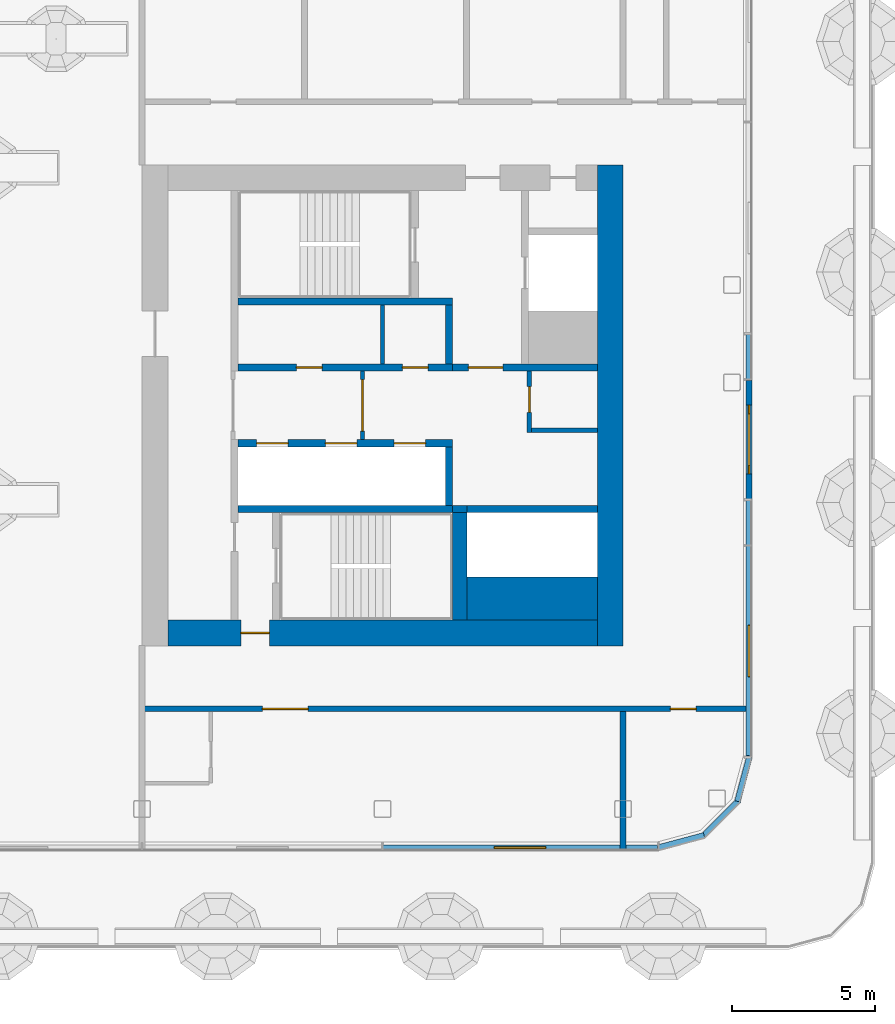
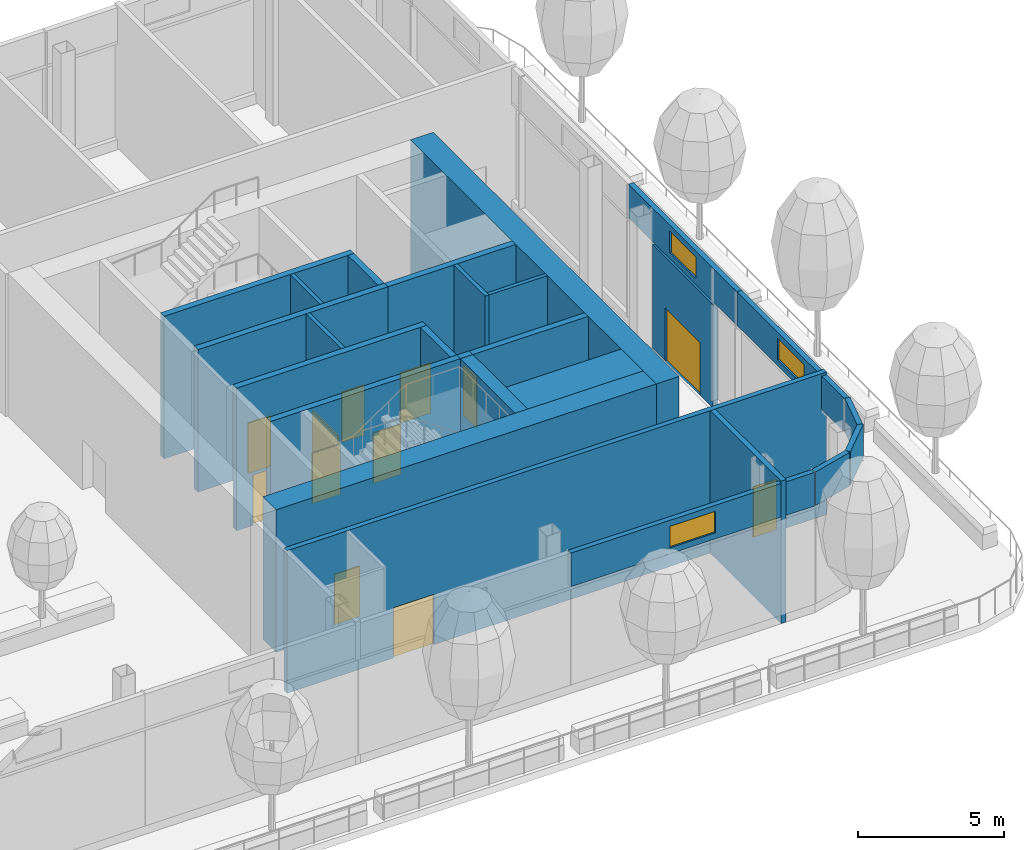
# One storey, part 13 of 41: 26 walls, 12 doors, 3 windows, 15 openings, 3 elements without a shape of their own.
"""IFC4 building model written with IfcOpenShell, lengths in metres."""

import ifcopenshell
import ifcopenshell.guid

model = None  # the IFC model being written
_history = None  # IfcOwnerHistory: only IFC2X3 demands one
_inside = {}  # id of a spatial element -> (the spatial element, [elements in it])
_under = {}  # id of a project, library or spatial element -> (it, [spatial elements below it])
_declared = {}  # id of a project -> (the project, [libraries it declares])
_typed = {}  # id of a type object -> (the type object, [elements of that type])
_made_of = {}  # id of a material, layer set ... -> (it, [elements and type objects made of it])


def new_model(schema):
    """Start an empty IFC model of exactly this schema.

    Asked for "IFC4X3", IfcOpenShell would pick the latest addendum, in which some entities
    have other attributes; the version numbers below select the first issue.
    IFC2X3 requires an IfcOwnerHistory on every rooted entity: one is made here for all.
    """
    global model, _history
    if schema == "IFC4X3":
        model = ifcopenshell.file(schema_version=(4, 3, 0, 0))
    else:
        model = ifcopenshell.file(schema=schema)
    _inside.clear()
    _under.clear()
    _declared.clear()
    _typed.clear()
    _made_of.clear()
    _history = None
    if model.schema == "IFC2X3":
        org = make("IfcOrganization", Name="unknown")
        user = make(
            "IfcPersonAndOrganization",
            ThePerson=make("IfcPerson", FamilyName="unknown"),
            TheOrganization=org,
        )
        app = make(
            "IfcApplication",
            ApplicationDeveloper=org,
            Version="unknown",
            ApplicationFullName="unknown",
            ApplicationIdentifier="unknown",
        )
        _history = make(
            "IfcOwnerHistory",
            OwningUser=user,
            OwningApplication=app,
            ChangeAction="ADDED",
            CreationDate=0,
        )
    return model


def make(cls, **values):
    """One entity of the class cls with the attributes given. An attribute that is None is left unset."""
    return model.create_entity(
        cls, **{name: value for name, value in values.items() if value is not None}
    )


def rooted(cls, **values):
    """An entity with a GlobalId (a new one), such as an element, a storey or a relation."""
    return make(cls, GlobalId=ifcopenshell.guid.new(), OwnerHistory=_history, **values)


def si_unit(unit_type, name, prefix=None):
    """IfcSIUnit, for example si_unit("LENGTHUNIT", "METRE", prefix="MILLI")."""
    return make("IfcSIUnit", UnitType=unit_type, Prefix=prefix, Name=name)


def assignment(units):
    """IfcUnitAssignment: the units of a project."""
    return None if units is None else make("IfcUnitAssignment", Units=units)


def point(xyz):
    """IfcCartesianPoint."""
    return None if xyz is None else make("IfcCartesianPoint", Coordinates=xyz)


def direction(xyz):
    """IfcDirection."""
    return None if xyz is None else make("IfcDirection", DirectionRatios=xyz)


def frame(location, z_axis=None, x_axis=None):
    """IfcAxis2Placement3D, a coordinate frame: its origin and axes. An axis left out is left unset."""
    return make(
        "IfcAxis2Placement3D",
        Location=point(location),
        Axis=direction(z_axis),
        RefDirection=direction(x_axis),
    )


def frame_2d(location, x_axis=None):
    """IfcAxis2Placement2D, a coordinate frame in the plane: its origin and x axis."""
    return make(
        "IfcAxis2Placement2D", Location=point(location), RefDirection=direction(x_axis)
    )


def origin():
    """The frame at (0, 0, 0) with its axes left unset."""
    return frame((0.0, 0.0, 0.0))


def place(relative_to, where):
    """IfcLocalPlacement: puts the frame where relative to a parent placement (None: the world)."""
    return make(
        "IfcLocalPlacement", PlacementRelTo=relative_to, RelativePlacement=where
    )


def context(
    kind, dimensions, precision=None, world=None, true_north=None, identifier=None
):
    """IfcGeometricRepresentationContext, for example the 3D "Model" context."""
    return make(
        "IfcGeometricRepresentationContext",
        ContextIdentifier=identifier,
        ContextType=kind,
        CoordinateSpaceDimension=dimensions,
        Precision=precision,
        WorldCoordinateSystem=world,
        TrueNorth=true_north,
    )


def subcontext(parent, identifier, kind, view, scale=None):
    """IfcGeometricRepresentationSubContext, for example "Body" below "Model"."""
    return make(
        "IfcGeometricRepresentationSubContext",
        ContextIdentifier=identifier,
        ContextType=kind,
        ParentContext=parent,
        TargetScale=scale,
        TargetView=view,
    )


def project(units=None, contexts=None):
    """IfcProject with its units and contexts."""
    return rooted(
        "IfcProject",
        Name="project",
        RepresentationContexts=contexts,
        UnitsInContext=assignment(units),
    )


def spatial(cls, under=None, at=None, **own):
    """A site, building, storey or space (cls), placed at a placement, below another one or the project."""
    s = rooted(cls, ObjectPlacement=at, **own)
    if under is not None:
        _under.setdefault(under.id(), (under, []))[1].append(s)
    return s


def profile(cls, at=None, kind="AREA", **sizes):
    """A parametric profile (cls). Its sizes go by their IFC names, for example OverallWidth=200.0."""
    return make(cls, ProfileType=kind, Position=at, **sizes)


def rectangle(**sizes):
    """IfcRectangleProfileDef."""
    return profile("IfcRectangleProfileDef", **sizes)


def extrude(swept, where, along, depth):
    """IfcExtrudedAreaSolid: the profile swept, set in the frame where, extruded along a direction by depth."""
    return make(
        "IfcExtrudedAreaSolid",
        SweptArea=swept,
        Position=where,
        ExtrudedDirection=direction(along),
        Depth=depth,
    )


def shape(context_of_items, identifier, shape_type, items):
    """IfcShapeRepresentation: the items that make up one representation, for example the "Body"."""
    return make(
        "IfcShapeRepresentation",
        ContextOfItems=context_of_items,
        RepresentationIdentifier=identifier,
        RepresentationType=shape_type,
        Items=items,
    )


def material(Name=None, Category=None):
    """IfcMaterial."""
    return make("IfcMaterial", Name=Name, Category=Category)


def layer(
    of_material, thickness, ventilated=None, Name=None, Category=None, Priority=None
):
    """IfcMaterialLayer: one layer of a wall or slab, of a material (None: an air gap)."""
    return make(
        "IfcMaterialLayer",
        Material=of_material,
        LayerThickness=thickness,
        IsVentilated=ventilated,
        Name=Name,
        Category=Category,
        Priority=Priority,
    )


def layer_set(layers, Name=None):
    """IfcMaterialLayerSet."""
    return make("IfcMaterialLayerSet", MaterialLayers=layers, LayerSetName=Name)


def made_of(thing, what):
    """Note that an element or type object is made of a material, layer set ...; save() writes the relation."""
    if what is not None:
        _made_of.setdefault(what.id(), (what, []))[1].append(thing)
    return thing


def type_object(cls, material=None, **own):
    """A type object (cls), such as IfcWallType, which elements share."""
    return made_of(rooted(cls, **own), material)


def element(
    cls,
    number,
    at=None,
    inside=None,
    cuts=None,
    type_object=None,
    material=None,
    context=None,
    identifier="Body",
    shape_type=None,
    held_by="IfcProductDefinitionShape",
    body=None,
    shapes=None,
    **own,
):
    """One element of the class cls, such as IfcWall. Its Tag is "e" and its number.

    at: its placement. inside: the storey or other place that contains it. cuts: it is an
    opening in that element (IfcRelVoidsElement). A single representation is given by context,
    identifier, shape_type and body (its items); several are given by shapes. held_by: the class
    of the entity that holds the representations. save() writes the other relations.
    """
    e = rooted(cls, Tag="e%d" % number, ObjectPlacement=at, **own)
    if body is not None:
        shapes = [shape(context, identifier, shape_type, body)]
    if shapes is not None:
        e.Representation = make(held_by, Representations=shapes)
    if inside is not None:
        _inside.setdefault(inside.id(), (inside, []))[1].append(e)
    if cuts is not None:
        rooted(
            "IfcRelVoidsElement", RelatingBuildingElement=cuts, RelatedOpeningElement=e
        )
    if type_object is not None:
        _typed.setdefault(type_object.id(), (type_object, []))[1].append(e)
    return made_of(e, material)


def fill(opening, filler):
    """IfcRelFillsElement: the door or window that sits in an opening."""
    return rooted(
        "IfcRelFillsElement",
        RelatingOpeningElement=opening,
        RelatedBuildingElement=filler,
    )


def aggregate(whole, parts):
    """IfcRelAggregates: a whole, such as a stair, and the parts it consists of."""
    return rooted("IfcRelAggregates", RelatingObject=whole, RelatedObjects=parts)


def save(model, path):
    """Write the relations noted so far, then the file.

    IfcRelAggregates (storeys below a building ...), IfcRelContainedInSpatialStructure (elements
    in a storey), IfcRelDefinesByType, IfcRelAssociatesMaterial and IfcRelDeclares: one each for
    every whole, place, type object, material and project.
    """
    for whole, parts in _under.values():
        aggregate(whole, parts)
    for where, things in _inside.values():
        rooted(
            "IfcRelContainedInSpatialStructure",
            RelatedElements=things,
            RelatingStructure=where,
        )
    for kind, things in _typed.values():
        rooted("IfcRelDefinesByType", RelatedObjects=things, RelatingType=kind)
    for what, things in _made_of.values():
        rooted("IfcRelAssociatesMaterial", RelatedObjects=things, RelatingMaterial=what)
    for by, libraries in _declared.values():
        rooted("IfcRelDeclares", RelatingContext=by, RelatedDefinitions=libraries)
    model.write(path)


model = new_model("IFC4")

# Units and contexts
model_context = context("Model", 3, precision=1e-05, world=origin(), true_north=direction((0.0, 1.0)))
body_context = subcontext(model_context, "Body", "Model", "MODEL_VIEW")
ifc_project = project(units=[si_unit("LENGTHUNIT", "METRE"), si_unit("AREAUNIT", "SQUARE_METRE"), si_unit("VOLUMEUNIT", "CUBIC_METRE"), si_unit("PLANEANGLEUNIT", "RADIAN"), si_unit("MASSUNIT", "GRAM", prefix="KILO")], contexts=[model_context])

# Site, building, storey
site_placement = place(None, origin())
site = spatial("IfcSite", under=ifc_project, at=site_placement, CompositionType="ELEMENT")
building_placement = place(site_placement, origin())
building = spatial("IfcBuilding", under=site, at=building_placement, Name="Hakoniwa Tower and Hamabe Station Hall", CompositionType="ELEMENT")
storey_placement = place(building_placement, frame((0.0, 0.0, 180.199951171875)))
storey = spatial("IfcBuildingStorey", under=building, at=storey_placement, Name="L51", CompositionType="ELEMENT", Elevation=180.199951171875)

# Wall, opening, door
ifc_material_1 = material(Name="Gypsum board partition")
ifc_layer_1 = layer(ifc_material_1, 0.14990234375)
ifc_layer_set_1 = layer_set([ifc_layer_1], Name="CORE PARTITION 150 EI 60")
wall_type_1 = type_object("IfcWallType", Name="CORE PARTITION 150 EI 60", PredefinedType="PARTITIONING", material=ifc_layer_set_1)
wall_1_placement = place(storey_placement, frame((24.5, -1.199951171875, 0.0), z_axis=(0.0, 0.0, 1.0), x_axis=(0.0, 1.0, 0.0)))
wall_1 = element("IfcWall", 1, at=wall_1_placement, inside=storey, type_object=wall_type_1, Name="Core partition PL1 east", PredefinedType="PARTITIONING", context=body_context, shape_type="SweptSolid", body=[
    extrude(rectangle(XDim=2.39990234375, YDim=0.14990234375, at=frame_2d((1.199951171875, 0.0))), origin(), (0.0, 0.0, 1.0), 5.949951171875),
])
opening_1_placement = place(wall_1_placement, frame((0.300048828125, 0.0, 0.0)))
opening_1 = element("IfcOpeningElement", 2, at=opening_1_placement, cuts=wall_1, Name="Opening CD-E-LP1-18", PredefinedType="OPENING", context=body_context, shape_type="SweptSolid", body=[
    extrude(rectangle(XDim=1.800048828125, YDim=2.10009765625, at=frame_2d((0.89990234375, 1.050048828125))), frame((0.0, 0.0849609375, 0.0), z_axis=(0.0, -1.0, 0.0), x_axis=(1.0, 0.0, 0.0)), (0.0, 0.0, 1.0), 0.169921875),
])
ifc_material_2 = material(Name="Steel fire door", Category="steel")
door_type_1 = type_object("IfcDoorType", Name="CORE DOOR 1800 FD60", OperationType="DOUBLE_DOOR_SINGLE_SWING", PredefinedType="DOOR", material=ifc_material_2)
door_1_placement = place(opening_1_placement, origin())
door_1 = element("IfcDoor", 3, at=door_1_placement, inside=storey, type_object=door_type_1, Name="Lift lobby partition door", OperationType="DOUBLE_DOOR_SINGLE_SWING", OverallHeight=2.10009765625, OverallWidth=1.800048828125, PredefinedType="DOOR", context=body_context, shape_type="SweptSolid", body=[
    extrude(rectangle(XDim=1.800048828125, YDim=2.10009765625, at=frame_2d((0.89990234375, 1.050048828125))), frame((0.0, 0.02490234375, 0.0), z_axis=(0.0, -1.0, 0.0), x_axis=(1.0, 0.0, 0.0)), (0.0, 0.0, 1.0), 0.050048828125),
])
fill(opening_1, door_1)

wall_2_placement = place(storey_placement, frame((30.324951171875, -0.949951171875, 0.0), z_axis=(0.0, 0.0, 1.0), x_axis=(0.0, 1.0, 0.0)))
wall_2 = element("IfcWall", 4, at=wall_2_placement, inside=storey, type_object=wall_type_1, Name="Core partition PW0 east", PredefinedType="PARTITIONING", context=body_context, shape_type="SweptSolid", body=[
    extrude(rectangle(XDim=2.14990234375, YDim=0.14990234375, at=frame_2d((1.074951171875, 0.0))), origin(), (0.0, 0.0, 1.0), 5.949951171875),
])
opening_2_placement = place(wall_2_placement, frame((0.699951171875, 0.0, 0.0)))
opening_2 = element("IfcOpeningElement", 5, at=opening_2_placement, cuts=wall_2, Name="Opening CD-E-RM1-9", PredefinedType="OPENING", context=body_context, shape_type="SweptSolid", body=[
    extrude(rectangle(XDim=0.89990234375, YDim=2.10009765625, at=frame_2d((0.449951171875, 1.050048828125))), frame((0.0, 0.0849609375, 0.0), z_axis=(0.0, -1.0, 0.0), x_axis=(1.0, 0.0, 0.0)), (0.0, 0.0, 1.0), 0.169921875),
])
ifc_material_3 = material(Name="Steel fire door", Category="steel")
door_type_2 = type_object("IfcDoorType", Name="CORE DOOR 900 FD30", OperationType="NOTDEFINED", PredefinedType="DOOR", material=ifc_material_3)
door_2_placement = place(opening_2_placement, origin())
door_2 = element("IfcDoor", 6, at=door_2_placement, inside=storey, type_object=door_type_2, Name="Store room door", OperationType="SINGLE_SWING_RIGHT", OverallHeight=2.10009765625, OverallWidth=0.89990234375, PredefinedType="DOOR", context=body_context, shape_type="SweptSolid", body=[
    extrude(rectangle(XDim=0.89990234375, YDim=2.10009765625, at=frame_2d((0.449951171875, 1.050048828125))), frame((0.0, 0.02490234375, 0.0), z_axis=(0.0, -1.0, 0.0), x_axis=(1.0, 0.0, 0.0)), (0.0, 0.0, 1.0), 0.050048828125),
])
fill(opening_2, door_2)

# Walls
wall_3_placement = place(storey_placement, frame((30.39990234375, -0.875, 0.0), z_axis=(0.0, 0.0, 1.0), x_axis=(1.0, 0.0, 0.0)))
element("IfcWall", 7, at=wall_3_placement, inside=storey, type_object=wall_type_1, Name="Core partition PS east", PredefinedType="PARTITIONING", context=body_context, shape_type="SweptSolid", body=[
    extrude(rectangle(XDim=2.300048828125, YDim=0.14990234375, at=frame_2d((1.14990234375, 0.0))), origin(), (0.0, 0.0, 1.0), 5.949951171875),
])
wall_4_placement = place(storey_placement, frame((25.199951171875, 1.449951171875, 0.0), z_axis=(0.0, 0.0, 1.0), x_axis=(0.0, 1.0, 0.0)))
element("IfcWall", 8, at=wall_4_placement, inside=storey, type_object=wall_type_1, Name="Core partition PFLR0 east", PredefinedType="PARTITIONING", context=body_context, shape_type="SweptSolid", body=[
    extrude(rectangle(XDim=2.050048828125, YDim=0.14990234375, at=frame_2d((1.02490234375, 0.0))), origin(), (0.0, 0.0, 1.0), 5.949951171875),
])
ifc_material_4 = material(Name="Concrete C60", Category="concrete")
ifc_layer_2 = layer(ifc_material_4, 0.89990234375)
ifc_layer_set_2 = layer_set([ifc_layer_2], Name="CORE WALL 900 C60")
wall_type_2 = type_object("IfcWallType", Name="CORE WALL 900 C60", PredefinedType="SHEAR", material=ifc_layer_set_2)
wall_5_placement = place(storey_placement, frame((33.14990234375, -8.39990234375, 0.0), z_axis=(0.0, 0.0, 1.0), x_axis=(0.0, 1.0, 0.0)))
element("IfcWall", 9, at=wall_5_placement, inside=storey, type_object=wall_type_2, Name="Core wall OUTER east", PredefinedType="SHEAR", context=body_context, shape_type="SweptSolid", body=[
    extrude(rectangle(XDim=16.7998046875, YDim=0.89990234375, at=frame_2d((8.39990234375, 0.0))), origin(), (0.0, 0.0, 1.0), 5.949951171875),
])

# Wall, opening, door
wall_6_placement = place(storey_placement, frame((17.699951171875, -7.949951171875, 0.0), z_axis=(0.0, 0.0, 1.0), x_axis=(1.0, 0.0, 0.0)))
wall_6 = element("IfcWall", 10, at=wall_6_placement, inside=storey, type_object=wall_type_2, Name="Core wall SOUTH east", PredefinedType="SHEAR", context=body_context, shape_type="SweptSolid", body=[
    extrude(rectangle(XDim=15.0, YDim=0.89990234375, at=frame_2d((7.5, 0.0))), origin(), (0.0, 0.0, 1.0), 5.949951171875),
])
opening_3_placement = place(wall_6_placement, frame((2.550048828125, 0.0, 0.0)))
opening_3 = element("IfcOpeningElement", 11, at=opening_3_placement, cuts=wall_6, Name="Opening CD-E-FS3-10", PredefinedType="OPENING", context=body_context, shape_type="SweptSolid", body=[
    extrude(rectangle(XDim=1.0, YDim=2.10009765625, at=frame_2d((0.5, 1.050048828125))), frame((0.0, 0.4599609375, 0.0), z_axis=(0.0, -1.0, 0.0), x_axis=(1.0, 0.0, 0.0)), (0.0, 0.0, 1.0), 0.919921875),
])
ifc_material_5 = material(Name="Steel fire door", Category="steel")
door_type_3 = type_object("IfcDoorType", Name="CORE DOOR 1000 FD60", OperationType="NOTDEFINED", PredefinedType="DOOR", material=ifc_material_5)
door_3_placement = place(opening_3_placement, origin())
door_3 = element("IfcDoor", 12, at=door_3_placement, inside=storey, type_object=door_type_3, Name="Stair vestibule door", OperationType="SINGLE_SWING_LEFT", OverallHeight=2.10009765625, OverallWidth=1.0, PredefinedType="DOOR", context=body_context, shape_type="SweptSolid", body=[
    extrude(rectangle(XDim=1.0, YDim=2.10009765625, at=frame_2d((0.5, 1.050048828125))), frame((0.0, 0.02490234375, 0.0), z_axis=(0.0, -1.0, 0.0), x_axis=(1.0, 0.0, 0.0)), (0.0, 0.0, 1.0), 0.050048828125),
])
fill(opening_3, door_3)

# Wall
ifc_material_6 = material(Name="Concrete C60", Category="concrete")
ifc_layer_3 = layer(ifc_material_6, 1.5)
ifc_layer_set_3 = layer_set([ifc_layer_3], Name="CORE WEB WALL 1500 C60")
wall_type_3 = type_object("IfcWallType", Name="CORE WEB WALL 1500 C60", PredefinedType="SHEAR", material=ifc_layer_set_3)
wall_7_placement = place(storey_placement, frame((28.14990234375, -6.75, 0.0), z_axis=(0.0, 0.0, 1.0), x_axis=(1.0, 0.0, 0.0)))
element("IfcWall", 13, at=wall_7_placement, inside=storey, type_object=wall_type_3, Name="Core wall SER east", PredefinedType="SHEAR", context=body_context, shape_type="SweptSolid", body=[
    extrude(rectangle(XDim=4.550048828125, YDim=1.5, at=frame_2d((2.27490234375, 0.0))), origin(), (0.0, 0.0, 1.0), 5.949951171875),
])

# Wall, openings, doors
ifc_material_7 = material(Name="Concrete C60", Category="concrete")
ifc_layer_4 = layer(ifc_material_7, 0.25)
ifc_layer_set_4 = layer_set([ifc_layer_4], Name="CORE WEB WALL 250 C60")
wall_type_4 = type_object("IfcWallType", Name="CORE WEB WALL 250 C60", PredefinedType="SHEAR", material=ifc_layer_set_4)
wall_8_placement = place(storey_placement, frame((20.14990234375, 1.324951171875, 0.0), z_axis=(0.0, 0.0, 1.0), x_axis=(1.0, 0.0, 0.0)))
wall_8 = element("IfcWall", 14, at=wall_8_placement, inside=storey, type_object=wall_type_4, Name="Core wall NF east", PredefinedType="SHEAR", context=body_context, shape_type="SweptSolid", body=[
    extrude(rectangle(XDim=7.5, YDim=0.25, at=frame_2d((3.75, 0.0))), origin(), (0.0, 0.0, 1.0), 5.949951171875),
])
opening_4_placement = place(wall_8_placement, frame((2.03759765625, 0.0, 0.0)))
opening_4 = element("IfcOpeningElement", 15, at=opening_4_placement, cuts=wall_8, Name="Opening CD-E-FRLR0-9", PredefinedType="OPENING", context=body_context, shape_type="SweptSolid", body=[
    extrude(rectangle(XDim=0.89990234375, YDim=2.10009765625, at=frame_2d((0.449951171875, 1.050048828125))), frame((0.0, 0.135009765625, 0.0), z_axis=(0.0, -1.0, 0.0), x_axis=(1.0, 0.0, 0.0)), (0.0, 0.0, 1.0), 0.27001953125),
])
opening_5_placement = place(wall_8_placement, frame((5.737548828125, 0.0, 0.0)))
opening_5 = element("IfcOpeningElement", 16, at=opening_5_placement, cuts=wall_8, Name="Opening CD-E-FRLR1-9", PredefinedType="OPENING", context=body_context, shape_type="SweptSolid", body=[
    extrude(rectangle(XDim=0.89990234375, YDim=2.10009765625, at=frame_2d((0.449951171875, 1.050048828125))), frame((0.0, 0.135009765625, 0.0), z_axis=(0.0, -1.0, 0.0), x_axis=(1.0, 0.0, 0.0)), (0.0, 0.0, 1.0), 0.27001953125),
])
door_4_placement = place(opening_4_placement, origin())
door_4 = element("IfcDoor", 17, at=door_4_placement, inside=storey, type_object=door_type_2, Name="Store room door", OperationType="SINGLE_SWING_RIGHT", OverallHeight=2.10009765625, OverallWidth=0.89990234375, PredefinedType="DOOR", context=body_context, shape_type="SweptSolid", body=[
    extrude(rectangle(XDim=0.89990234375, YDim=2.10009765625, at=frame_2d((0.449951171875, 1.050048828125))), frame((0.0, 0.02490234375, 0.0), z_axis=(0.0, -1.0, 0.0), x_axis=(1.0, 0.0, 0.0)), (0.0, 0.0, 1.0), 0.050048828125),
])
fill(opening_4, door_4)
door_5_placement = place(opening_5_placement, origin())
door_5 = element("IfcDoor", 18, at=door_5_placement, inside=storey, type_object=door_type_2, Name="Store room door", OperationType="SINGLE_SWING_LEFT", OverallHeight=2.10009765625, OverallWidth=0.89990234375, PredefinedType="DOOR", context=body_context, shape_type="SweptSolid", body=[
    extrude(rectangle(XDim=0.89990234375, YDim=2.10009765625, at=frame_2d((0.449951171875, 1.050048828125))), frame((0.0, 0.02490234375, 0.0), z_axis=(0.0, -1.0, 0.0), x_axis=(1.0, 0.0, 0.0)), (0.0, 0.0, 1.0), 0.050048828125),
])
fill(opening_5, door_5)

# Walls
wall_9_placement = place(storey_placement, frame((27.52490234375, 1.449951171875, 0.0), z_axis=(0.0, 0.0, 1.0), x_axis=(0.0, 1.0, 0.0)))
element("IfcWall", 19, at=wall_9_placement, inside=storey, type_object=wall_type_4, Name="Core wall NE east", PredefinedType="SHEAR", context=body_context, shape_type="SweptSolid", body=[
    extrude(rectangle(XDim=2.050048828125, YDim=0.25, at=frame_2d((1.02490234375, 0.0))), origin(), (0.0, 0.0, 1.0), 5.949951171875),
])
wall_10_placement = place(storey_placement, frame((20.14990234375, 3.625, 0.0), z_axis=(0.0, 0.0, 1.0), x_axis=(1.0, 0.0, 0.0)))
element("IfcWall", 20, at=wall_10_placement, inside=storey, type_object=wall_type_4, Name="Core wall NR east", PredefinedType="SHEAR", context=body_context, shape_type="SweptSolid", body=[
    extrude(rectangle(XDim=7.5, YDim=0.25, at=frame_2d((3.75, 0.0))), origin(), (0.0, 0.0, 1.0), 5.949951171875),
])

# Wall, opening, door
wall_11_placement = place(storey_placement, frame((27.64990234375, 1.324951171875, 0.0), z_axis=(0.0, 0.0, 1.0), x_axis=(1.0, 0.0, 0.0)))
wall_11 = element("IfcWall", 21, at=wall_11_placement, inside=storey, type_object=wall_type_4, Name="Core wall ELN east", PredefinedType="SHEAR", context=body_context, shape_type="SweptSolid", body=[
    extrude(rectangle(XDim=5.050048828125, YDim=0.25, at=frame_2d((2.52490234375, 0.0))), origin(), (0.0, 0.0, 1.0), 5.949951171875),
])
opening_6_placement = place(wall_11_placement, frame((0.550048828125, 0.0, 0.0)))
opening_6 = element("IfcOpeningElement", 22, at=opening_6_placement, cuts=wall_11, Name="Opening CD-E-FL-12", PredefinedType="OPENING", context=body_context, shape_type="SweptSolid", body=[
    extrude(rectangle(XDim=1.199951171875, YDim=2.10009765625, at=frame_2d((0.60009765625, 1.050048828125))), frame((0.0, 0.135009765625, 0.0), z_axis=(0.0, -1.0, 0.0), x_axis=(1.0, 0.0, 0.0)), (0.0, 0.0, 1.0), 0.27001953125),
])
ifc_material_8 = material(Name="Steel fire door", Category="steel")
door_type_4 = type_object("IfcDoorType", Name="CORE DOOR 1200 FD60", OperationType="DOUBLE_DOOR_SINGLE_SWING", PredefinedType="DOOR", material=ifc_material_8)
door_6_placement = place(opening_6_placement, origin())
door_6 = element("IfcDoor", 23, at=door_6_placement, inside=storey, type_object=door_type_4, Name="Stair vestibule door to the fire-fighting lobby", OperationType="DOUBLE_DOOR_SINGLE_SWING", OverallHeight=2.10009765625, OverallWidth=1.199951171875, PredefinedType="DOOR", context=body_context, shape_type="SweptSolid", body=[
    extrude(rectangle(XDim=1.199951171875, YDim=2.10009765625, at=frame_2d((0.60009765625, 1.050048828125))), frame((0.0, 0.02490234375, 0.0), z_axis=(0.0, -1.0, 0.0), x_axis=(1.0, 0.0, 0.0)), (0.0, 0.0, 1.0), 0.050048828125),
])
fill(opening_6, door_6)

# Wall, openings, doors
wall_12_placement = place(storey_placement, frame((20.14990234375, -1.324951171875, 0.0), z_axis=(0.0, 0.0, 1.0), x_axis=(1.0, 0.0, 0.0)))
wall_12 = element("IfcWall", 24, at=wall_12_placement, inside=storey, type_object=wall_type_4, Name="Core wall SF east", PredefinedType="SHEAR", context=body_context, shape_type="SweptSolid", body=[
    extrude(rectangle(XDim=7.5, YDim=0.25, at=frame_2d((3.75, 0.0))), origin(), (0.0, 0.0, 1.0), 5.949951171875),
])
opening_7_placement = place(wall_12_placement, frame((0.64990234375, 0.0, 0.0)))
opening_7 = element("IfcOpeningElement", 25, at=opening_7_placement, cuts=wall_12, Name="Opening LD-HR4", PredefinedType="OPENING", context=body_context, shape_type="SweptSolid", body=[
    extrude(rectangle(XDim=1.10009765625, YDim=2.10009765625, at=frame_2d((0.550048828125, 1.050048828125))), frame((0.0, 0.135009765625, 0.0), z_axis=(0.0, -1.0, 0.0), x_axis=(1.0, 0.0, 0.0)), (0.0, 0.0, 1.0), 0.27001953125),
])
opening_8_placement = place(wall_12_placement, frame((3.050048828125, 0.0, 0.0)))
opening_8 = element("IfcOpeningElement", 26, at=opening_8_placement, cuts=wall_12, Name="Opening LD-HR5", PredefinedType="OPENING", context=body_context, shape_type="SweptSolid", body=[
    extrude(rectangle(XDim=1.10009765625, YDim=2.10009765625, at=frame_2d((0.550048828125, 1.050048828125))), frame((0.0, 0.135009765625, 0.0), z_axis=(0.0, -1.0, 0.0), x_axis=(1.0, 0.0, 0.0)), (0.0, 0.0, 1.0), 0.27001953125),
])
opening_9_placement = place(wall_12_placement, frame((5.449951171875, 0.0, 0.0)))
opening_9 = element("IfcOpeningElement", 27, at=opening_9_placement, cuts=wall_12, Name="Opening LD-HR6", PredefinedType="OPENING", context=body_context, shape_type="SweptSolid", body=[
    extrude(rectangle(XDim=1.10009765625, YDim=2.10009765625, at=frame_2d((0.550048828125, 1.050048828125))), frame((0.0, 0.135009765625, 0.0), z_axis=(0.0, -1.0, 0.0), x_axis=(1.0, 0.0, 0.0)), (0.0, 0.0, 1.0), 0.27001953125),
])
ifc_material_9 = material(Name="Stainless steel SUS304", Category="steel")
door_type_5 = type_object("IfcDoorType", Name="LIFT LANDING DOOR 1100 FD60", OperationType="DOUBLE_DOOR_SLIDING", PredefinedType="DOOR", material=ifc_material_9)
door_7_placement = place(opening_7_placement, origin())
door_7 = element("IfcDoor", 28, at=door_7_placement, inside=storey, type_object=door_type_5, Name="Lift landing door HR4 L51", OperationType="DOUBLE_DOOR_SLIDING", OverallHeight=2.10009765625, OverallWidth=1.10009765625, PredefinedType="DOOR", context=body_context, shape_type="SweptSolid", body=[
    extrude(rectangle(XDim=1.10009765625, YDim=2.10009765625, at=frame_2d((0.550048828125, 1.050048828125))), frame((0.0, 0.02490234375, 0.0), z_axis=(0.0, -1.0, 0.0), x_axis=(1.0, 0.0, 0.0)), (0.0, 0.0, 1.0), 0.050048828125),
])
fill(opening_7, door_7)
door_8_placement = place(opening_8_placement, origin())
door_8 = element("IfcDoor", 29, at=door_8_placement, inside=storey, type_object=door_type_5, Name="Lift landing door HR5 L51", OperationType="DOUBLE_DOOR_SLIDING", OverallHeight=2.10009765625, OverallWidth=1.10009765625, PredefinedType="DOOR", context=body_context, shape_type="SweptSolid", body=[
    extrude(rectangle(XDim=1.10009765625, YDim=2.10009765625, at=frame_2d((0.550048828125, 1.050048828125))), frame((0.0, 0.02490234375, 0.0), z_axis=(0.0, -1.0, 0.0), x_axis=(1.0, 0.0, 0.0)), (0.0, 0.0, 1.0), 0.050048828125),
])
fill(opening_8, door_8)
door_9_placement = place(opening_9_placement, origin())
door_9 = element("IfcDoor", 30, at=door_9_placement, inside=storey, type_object=door_type_5, Name="Lift landing door HR6 L51", OperationType="DOUBLE_DOOR_SLIDING", OverallHeight=2.10009765625, OverallWidth=1.10009765625, PredefinedType="DOOR", context=body_context, shape_type="SweptSolid", body=[
    extrude(rectangle(XDim=1.10009765625, YDim=2.10009765625, at=frame_2d((0.550048828125, 1.050048828125))), frame((0.0, 0.02490234375, 0.0), z_axis=(0.0, -1.0, 0.0), x_axis=(1.0, 0.0, 0.0)), (0.0, 0.0, 1.0), 0.050048828125),
])
fill(opening_9, door_9)

# Walls
wall_13_placement = place(storey_placement, frame((27.52490234375, -3.5, 0.0), z_axis=(0.0, 0.0, 1.0), x_axis=(0.0, 1.0, 0.0)))
element("IfcWall", 31, at=wall_13_placement, inside=storey, type_object=wall_type_4, Name="Core wall SE east", PredefinedType="SHEAR", context=body_context, shape_type="SweptSolid", body=[
    extrude(rectangle(XDim=2.050048828125, YDim=0.25, at=frame_2d((1.02490234375, 0.0))), origin(), (0.0, 0.0, 1.0), 5.949951171875),
])
wall_14_placement = place(storey_placement, frame((20.14990234375, -3.625, 0.0), z_axis=(0.0, 0.0, 1.0), x_axis=(1.0, 0.0, 0.0)))
element("IfcWall", 32, at=wall_14_placement, inside=storey, type_object=wall_type_4, Name="Core wall SR east", PredefinedType="SHEAR", context=body_context, shape_type="SweptSolid", body=[
    extrude(rectangle(XDim=7.5, YDim=0.25, at=frame_2d((3.75, 0.0))), origin(), (0.0, 0.0, 1.0), 5.949951171875),
])
wall_15_placement = place(storey_placement, frame((28.14990234375, -3.625, 0.0), z_axis=(0.0, 0.0, 1.0), x_axis=(1.0, 0.0, 0.0)))
element("IfcWall", 33, at=wall_15_placement, inside=storey, type_object=wall_type_4, Name="Core wall SEF east", PredefinedType="SHEAR", context=body_context, shape_type="SweptSolid", body=[
    extrude(rectangle(XDim=4.550048828125, YDim=0.25, at=frame_2d((2.27490234375, 0.0))), origin(), (0.0, 0.0, 1.0), 5.949951171875),
])
wall_16_placement = place(storey_placement, frame((27.64990234375, -3.625, 0.0), z_axis=(0.0, 0.0, 1.0), x_axis=(1.0, 0.0, 0.0)))
element("IfcWall", 34, at=wall_16_placement, inside=storey, type_object=wall_type_4, Name="Core wall SRK east", PredefinedType="SHEAR", context=body_context, shape_type="SweptSolid", body=[
    extrude(rectangle(XDim=0.5, YDim=0.25, at=frame_2d((0.25, 0.0))), origin(), (0.0, 0.0, 1.0), 5.949951171875),
])
ifc_material_10 = material(Name="Concrete C60", Category="concrete")
ifc_layer_5 = layer(ifc_material_10, 0.5)
ifc_layer_set_5 = layer_set([ifc_layer_5], Name="CORE WEB WALL 500 C60")
wall_type_5 = type_object("IfcWallType", Name="CORE WEB WALL 500 C60", PredefinedType="SHEAR", material=ifc_layer_set_5)
wall_17_placement = place(storey_placement, frame((27.89990234375, -7.5, 0.0), z_axis=(0.0, 0.0, 1.0), x_axis=(0.0, 1.0, 0.0)))
element("IfcWall", 35, at=wall_17_placement, inside=storey, type_object=wall_type_5, Name="Core wall SSE east", PredefinedType="SHEAR", context=body_context, shape_type="SweptSolid", body=[
    extrude(rectangle(XDim=3.75, YDim=0.5, at=frame_2d((1.875, 0.0))), origin(), (0.0, 0.0, 1.0), 5.949951171875),
])

# Wall, openings, doors
ifc_material_11 = material(Name="Fire-rated gypsum board partition", Category="gypsum")
ifc_layer_6 = layer(ifc_material_11, 0.199951171875)
ifc_layer_set_6 = layer_set([ifc_layer_6], Name="Corridor Wall 200")
wall_type_6 = type_object("IfcWallType", Name="Corridor Wall 200", PredefinedType="PARTITIONING", material=ifc_layer_set_6)
wall_18_placement = place(storey_placement, frame((16.800048828125, -10.60009765625, 0.0), z_axis=(0.0, 0.0, 1.0), x_axis=(1.0, 0.0, 0.0)))
wall_18 = element("IfcWall", 36, at=wall_18_placement, inside=storey, type_object=wall_type_6, Name="GW-L51-003", PredefinedType="PARTITIONING", context=body_context, shape_type="SweptSolid", body=[
    extrude(rectangle(XDim=21.300048828125, YDim=0.199951171875, at=frame_2d((10.64990234375, 0.0))), origin(), (0.0, 0.0, 1.0), 5.949951171875),
])
opening_10_placement = place(wall_18_placement, frame((4.199951171875, 0.0, 0.0)))
opening_10 = element("IfcOpeningElement", 37, at=opening_10_placement, cuts=wall_18, Name="Opening GD-SL51-04", PredefinedType="OPENING", context=body_context, shape_type="SweptSolid", body=[
    extrude(rectangle(XDim=1.60009765625, YDim=2.10009765625, at=frame_2d((0.800048828125, 1.050048828125))), frame((0.0, 0.10986328125, 0.0), z_axis=(0.0, -1.0, 0.0), x_axis=(1.0, 0.0, 0.0)), (0.0, 0.0, 1.0), 0.219970703125),
])
opening_11_placement = place(wall_18_placement, frame((18.449951171875, 0.0, 0.0)))
opening_11 = element("IfcOpeningElement", 38, at=opening_11_placement, cuts=wall_18, Name="Opening GD-SL51-05", PredefinedType="OPENING", context=body_context, shape_type="SweptSolid", body=[
    extrude(rectangle(XDim=0.89990234375, YDim=2.10009765625, at=frame_2d((0.449951171875, 1.050048828125))), frame((0.0, 0.10986328125, 0.0), z_axis=(0.0, -1.0, 0.0), x_axis=(1.0, 0.0, 0.0)), (0.0, 0.0, 1.0), 0.219970703125),
])
ifc_material_12 = material(Name="Timber door leaf", Category="wood")
door_type_6 = type_object("IfcDoorType", Name="Double Door 1600", OperationType="DOUBLE_DOOR_SINGLE_SWING", PredefinedType="DOOR", material=ifc_material_12)
door_10_placement = place(opening_10_placement, origin())
door_10 = element("IfcDoor", 39, at=door_10_placement, inside=storey, type_object=door_type_6, Name="Door GD-SL51-04", OperationType="DOUBLE_DOOR_SINGLE_SWING", OverallHeight=2.10009765625, OverallWidth=1.60009765625, PredefinedType="DOOR", context=body_context, shape_type="SweptSolid", body=[
    extrude(rectangle(XDim=1.60009765625, YDim=2.10009765625, at=frame_2d((0.800048828125, 1.050048828125))), frame((0.0, 0.02490234375, 0.0), z_axis=(0.0, -1.0, 0.0), x_axis=(1.0, 0.0, 0.0)), (0.0, 0.0, 1.0), 0.050048828125),
])
fill(opening_10, door_10)
ifc_material_13 = material(Name="Timber door leaf", Category="wood")
door_type_7 = type_object("IfcDoorType", Name="Service Door 900", OperationType="SINGLE_SWING_LEFT", PredefinedType="DOOR", material=ifc_material_13)
door_11_placement = place(opening_11_placement, origin())
door_11 = element("IfcDoor", 40, at=door_11_placement, inside=storey, type_object=door_type_7, Name="Door GD-SL51-05", OperationType="SINGLE_SWING_LEFT", OverallHeight=2.10009765625, OverallWidth=0.89990234375, PredefinedType="DOOR", context=body_context, shape_type="SweptSolid", body=[
    extrude(rectangle(XDim=0.89990234375, YDim=2.10009765625, at=frame_2d((0.449951171875, 1.050048828125))), frame((0.0, 0.02490234375, 0.0), z_axis=(0.0, -1.0, 0.0), x_axis=(1.0, 0.0, 0.0)), (0.0, 0.0, 1.0), 0.050048828125),
])
fill(opening_11, door_11)

# Curtain wall, wall, opening, door
ifc_material_14 = material(Name="Dark low-e laminated glass", Category="glass")
ifc_layer_7 = layer(ifc_material_14, 0.199951171875)
ifc_layer_set_7 = layer_set([ifc_layer_7], Name="CW-2 SKY GARDEN")
curtain_wall_type = type_object("IfcCurtainWallType", Name="CW-2 SKY GARDEN", PredefinedType="NOTDEFINED", material=ifc_layer_set_7)
curtain_wall_1_placement = place(storey_placement, origin())
curtain_wall_1 = element("IfcCurtainWall", 41, at=curtain_wall_1_placement, inside=storey, type_object=curtain_wall_type, Name="CW-2 curtain wall", PredefinedType="NOTDEFINED")
ifc_material_15 = material(Name="Dark glass-faced aluminium panel", Category="aluminium")
ifc_layer_8 = layer(ifc_material_15, 0.199951171875)
ifc_layer_set_8 = layer_set([ifc_layer_8], Name="DOOR BAY WALL")
wall_type_7 = type_object("IfcWallType", Name="DOOR BAY WALL", PredefinedType="NOTDEFINED", material=ifc_layer_set_8)
wall_19_placement = place(storey_placement, frame((38.0, -3.267333984375, 0.0), z_axis=(0.0, 0.0, 1.0), x_axis=(0.0, 1.0, 0.0)))
wall_19 = element("IfcWall", 42, at=wall_19_placement, type_object=wall_type_7, Name="Door bay wall", PredefinedType="NOTDEFINED", context=body_context, shape_type="SweptSolid", body=[
    extrude(rectangle(XDim=4.139892578125, YDim=0.199951171875, at=frame_2d((2.06982421875, 0.0))), origin(), (0.0, 0.0, 1.0), 4.330078125),
])
opening_12_placement = place(wall_19_placement, frame((0.8701171875, 0.0, 0.0)))
opening_12 = element("IfcOpeningElement", 43, at=opening_12_placement, cuts=wall_19, Name="Opening TD-E01-T2", PredefinedType="OPENING", context=body_context, shape_type="SweptSolid", body=[
    extrude(rectangle(XDim=2.39990234375, YDim=2.199951171875, at=frame_2d((1.199951171875, 1.10009765625))), frame((0.0, 0.10986328125, 0.0), z_axis=(0.0, -1.0, 0.0), x_axis=(1.0, 0.0, 0.0)), (0.0, 0.0, 1.0), 0.219970703125),
])
ifc_material_16 = material(Name="Dark low-e laminated glass", Category="glass")
door_type_8 = type_object("IfcDoorType", Name="BALCONY SLIDING DOOR 2400X2200", OperationType="SLIDING_TO_LEFT", PredefinedType="DOOR", material=ifc_material_16)
door_12_placement = place(opening_12_placement, frame((2.39990234375, 0.0, 0.0), z_axis=(0.0, 0.0, 1.0), x_axis=(-1.0, 0.0, 0.0)))
door_12 = element("IfcDoor", 44, at=door_12_placement, inside=storey, type_object=door_type_8, Name="Balcony sliding door", OperationType="SLIDING_TO_LEFT", OverallHeight=2.199951171875, OverallWidth=2.39990234375, PredefinedType="DOOR", context=body_context, shape_type="SweptSolid", body=[
    extrude(rectangle(XDim=2.39990234375, YDim=2.199951171875, at=frame_2d((1.199951171875, 1.10009765625))), frame((0.0, 0.02490234375, 0.0), z_axis=(0.0, -1.0, 0.0), x_axis=(1.0, 0.0, 0.0)), (0.0, 0.0, 1.0), 0.050048828125),
])
fill(opening_12, door_12)

# Wall
ifc_material_17 = material(Name="Fire-rated gypsum board partition", Category="gypsum")
ifc_layer_9 = layer(ifc_material_17, 0.199951171875)
ifc_layer_set_9 = layer_set([ifc_layer_9], Name="Party Wall 200")
wall_type_8 = type_object("IfcWallType", Name="Party Wall 200", PredefinedType="PARTITIONING", material=ifc_layer_set_9)
wall_20_placement = place(storey_placement, frame((33.60009765625, -15.550048828125, 0.0), z_axis=(0.0, 0.0, 1.0), x_axis=(0.0, 1.0, 0.0)))
element("IfcWall", 45, at=wall_20_placement, inside=storey, type_object=wall_type_8, Name="GW-L51-016", PredefinedType="PARTITIONING", context=body_context, shape_type="SweptSolid", body=[
    extrude(rectangle(XDim=4.85009765625, YDim=0.199951171875, at=frame_2d((2.425048828125, 0.0))), origin(), (0.0, 0.0, 1.0), 5.949951171875),
])

# Wall, opening, window
ifc_material_18 = material(Name="Dark glass-faced aluminium panel", Category="aluminium")
ifc_layer_10 = layer(ifc_material_18, 0.199951171875)
ifc_layer_set_10 = layer_set([ifc_layer_10], Name="VENT BAND WALL")
wall_type_9 = type_object("IfcWallType", Name="VENT BAND WALL", PredefinedType="NOTDEFINED", material=ifc_layer_set_10)
wall_21_placement = place(storey_placement, frame((38.0, -12.259521484375, 4.449951171875), z_axis=(0.0, 0.0, 1.0), x_axis=(0.0, 1.0, 0.0)))
wall_21 = element("IfcWall", 46, at=wall_21_placement, type_object=wall_type_9, Name="Vent band wall", PredefinedType="NOTDEFINED", context=body_context, shape_type="SweptSolid", body=[
    extrude(rectangle(XDim=7.36474609375, YDim=0.199951171875, at=frame_2d((3.682373046875, 0.0))), origin(), (0.0, 0.0, 1.0), 1.400146484375),
])
opening_13_placement = place(wall_21_placement, frame((2.782470703125, 0.0, 0.25)))
opening_13 = element("IfcOpeningElement", 47, at=opening_13_placement, cuts=wall_21, Name="Opening VW-1", PredefinedType="OPENING", context=body_context, shape_type="SweptSolid", body=[
    extrude(rectangle(XDim=1.800048828125, YDim=0.89990234375, at=frame_2d((0.89990234375, 0.449951171875))), frame((0.0, 0.10986328125, 0.0), z_axis=(0.0, -1.0, 0.0), x_axis=(1.0, 0.0, 0.0)), (0.0, 0.0, 1.0), 0.219970703125),
])
ifc_material_19 = material(Name="Dark low-e laminated glass", Category="glass")
window_type = type_object("IfcWindowType", Name="VENT WINDOW 1800X900", PartitioningType="SINGLE_PANEL", PredefinedType="WINDOW", material=ifc_material_19)
window_1_placement = place(opening_13_placement, origin())
window_1 = element("IfcWindow", 48, at=window_1_placement, inside=storey, type_object=window_type, Name="Vent window", OverallHeight=0.89990234375, OverallWidth=1.800048828125, PartitioningType="SINGLE_PANEL", PredefinedType="WINDOW", context=body_context, shape_type="SweptSolid", body=[
    extrude(rectangle(XDim=1.800048828125, YDim=0.89990234375, at=frame_2d((0.89990234375, 0.449951171875))), frame((0.0, 0.030029296875, 0.0), z_axis=(0.0, -1.0, 0.0), x_axis=(1.0, 0.0, 0.0)), (0.0, 0.0, 1.0), 0.06005859375),
])
fill(opening_13, window_1)

wall_22_placement = place(storey_placement, frame((38.0, -4.894775390625, 4.449951171875), z_axis=(0.0, 0.0, 1.0), x_axis=(0.0, 1.0, 0.0)))
wall_22 = element("IfcWall", 49, at=wall_22_placement, type_object=wall_type_9, Name="Vent band wall", PredefinedType="NOTDEFINED", context=body_context, shape_type="SweptSolid", body=[
    extrude(rectangle(XDim=7.394775390625, YDim=0.199951171875, at=frame_2d((3.697265625, 0.0))), origin(), (0.0, 0.0, 1.0), 1.400146484375),
])
opening_14_placement = place(wall_22_placement, frame((2.79736328125, 0.0, 0.25)))
opening_14 = element("IfcOpeningElement", 50, at=opening_14_placement, cuts=wall_22, Name="Opening VW-1", PredefinedType="OPENING", context=body_context, shape_type="SweptSolid", body=[
    extrude(rectangle(XDim=1.800048828125, YDim=0.89990234375, at=frame_2d((0.89990234375, 0.449951171875))), frame((0.0, 0.10986328125, 0.0), z_axis=(0.0, -1.0, 0.0), x_axis=(1.0, 0.0, 0.0)), (0.0, 0.0, 1.0), 0.219970703125),
])
window_2_placement = place(opening_14_placement, origin())
window_2 = element("IfcWindow", 51, at=window_2_placement, inside=storey, type_object=window_type, Name="Vent window", OverallHeight=0.89990234375, OverallWidth=1.800048828125, PartitioningType="SINGLE_PANEL", PredefinedType="WINDOW", context=body_context, shape_type="SweptSolid", body=[
    extrude(rectangle(XDim=1.800048828125, YDim=0.89990234375, at=frame_2d((0.89990234375, 0.449951171875))), frame((0.0, 0.030029296875, 0.0), z_axis=(0.0, -1.0, 0.0), x_axis=(1.0, 0.0, 0.0)), (0.0, 0.0, 1.0), 0.06005859375),
])
fill(opening_14, window_2)

aggregate(curtain_wall_1, [wall_21, wall_22, wall_19])

# Curtain wall, wall, opening, window
curtain_wall_2_placement = place(storey_placement, origin())
curtain_wall_2 = element("IfcCurtainWall", 52, at=curtain_wall_2_placement, inside=storey, type_object=curtain_wall_type, Name="CW-2 curtain wall", PredefinedType="NOTDEFINED")
wall_23_placement = place(storey_placement, frame((25.199951171875, -15.449951171875, 4.449951171875), z_axis=(0.0, 0.0, 1.0), x_axis=(1.0, 0.0, 0.0)))
wall_23 = element("IfcWall", 53, at=wall_23_placement, type_object=wall_type_9, Name="Vent band wall", PredefinedType="NOTDEFINED", context=body_context, shape_type="SweptSolid", body=[
    extrude(rectangle(XDim=9.609619140625, YDim=0.199951171875, at=frame_2d((4.8046875, 0.0))), origin(), (0.0, 0.0, 1.0), 1.400146484375),
])
opening_15_placement = place(wall_23_placement, frame((3.90478515625, 0.0, 0.25)))
opening_15 = element("IfcOpeningElement", 54, at=opening_15_placement, cuts=wall_23, Name="Opening VW-1", PredefinedType="OPENING", context=body_context, shape_type="SweptSolid", body=[
    extrude(rectangle(XDim=1.800048828125, YDim=0.89990234375, at=frame_2d((0.89990234375, 0.449951171875))), frame((0.0, 0.10986328125, 0.0), z_axis=(0.0, -1.0, 0.0), x_axis=(1.0, 0.0, 0.0)), (0.0, 0.0, 1.0), 0.219970703125),
])
window_3_placement = place(opening_15_placement, origin())
window_3 = element("IfcWindow", 55, at=window_3_placement, inside=storey, type_object=window_type, Name="Vent window", OverallHeight=0.89990234375, OverallWidth=1.800048828125, PartitioningType="SINGLE_PANEL", PredefinedType="WINDOW", context=body_context, shape_type="SweptSolid", body=[
    extrude(rectangle(XDim=1.800048828125, YDim=0.89990234375, at=frame_2d((0.89990234375, 0.449951171875))), frame((0.0, 0.030029296875, 0.0), z_axis=(0.0, -1.0, 0.0), x_axis=(1.0, 0.0, 0.0)), (0.0, 0.0, 1.0), 0.06005859375),
])
fill(opening_15, window_3)
aggregate(curtain_wall_2, [wall_23])

# Curtain wall, walls
curtain_wall_3_placement = place(storey_placement, origin())
curtain_wall_3 = element("IfcCurtainWall", 56, at=curtain_wall_3_placement, inside=storey, type_object=curtain_wall_type, Name="CW-2 curtain wall", PredefinedType="NOTDEFINED")
wall_24_placement = place(storey_placement, frame((34.842529296875, -15.445556640625, 4.449951171875), z_axis=(0.0, 0.0, 1.0), x_axis=(0.965950704374, 0.258726180971, 0.0)))
wall_24 = element("IfcWall", 57, at=wall_24_placement, type_object=wall_type_9, Name="Vent band wall", PredefinedType="NOTDEFINED", context=body_context, shape_type="SweptSolid", body=[
    extrude(rectangle(XDim=1.642822265625, YDim=0.199951171875, at=frame_2d((0.8212890625, 0.0))), origin(), (0.0, 0.0, 1.0), 1.400146484375),
])
wall_25_placement = place(storey_placement, frame((36.429443359375, -15.0205078125, 4.449951171875), z_axis=(0.0, 0.0, 1.0), x_axis=(0.707035546937, 0.70717800826, 0.0)))
wall_25 = element("IfcWall", 58, at=wall_25_placement, type_object=wall_type_9, Name="Vent band wall", PredefinedType="NOTDEFINED", context=body_context, shape_type="SweptSolid", body=[
    extrude(rectangle(XDim=1.713623046875, YDim=0.199951171875, at=frame_2d((0.85693359375, 0.0))), origin(), (0.0, 0.0, 1.0), 1.400146484375),
])
wall_26_placement = place(storey_placement, frame((37.596435546875, -13.83447265625, 4.449951171875), z_axis=(0.0, 0.0, 1.0), x_axis=(0.258763325689, 0.965940754539, 0.0)))
wall_26 = element("IfcWall", 59, at=wall_26_placement, type_object=wall_type_9, Name="Vent band wall", PredefinedType="NOTDEFINED", context=body_context, shape_type="SweptSolid", body=[
    extrude(rectangle(XDim=1.642578125, YDim=0.199951171875, at=frame_2d((0.8212890625, 0.0))), origin(), (0.0, 0.0, 1.0), 1.400146484375),
])
aggregate(curtain_wall_3, [wall_24, wall_25, wall_26])

save(model, "model.ifc")
